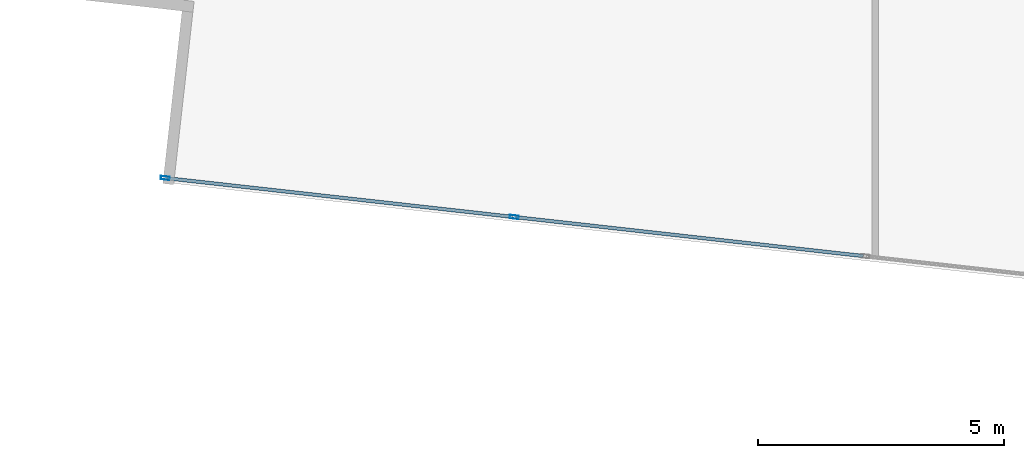
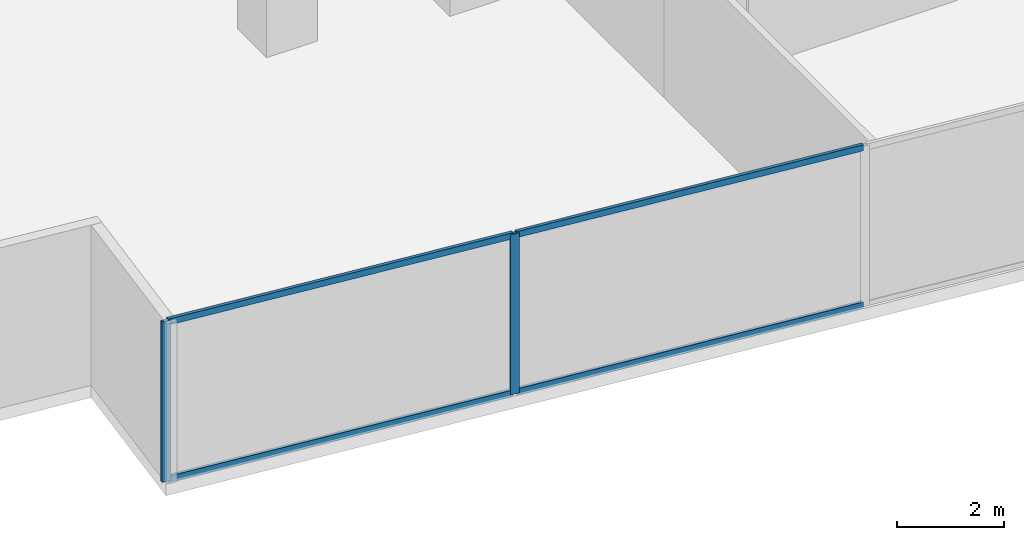
# One storey, part 2 of 28: 6 members, 1 element without a shape of its own.
"""IFC4 building model written with IfcOpenShell, lengths in metres."""

from ifc_helpers import new_model, si_unit, direction, frame, origin, origin_2d, place, context, subcontext, project, spatial, hollow_rectangle, extrude, source, transform, mapped, material, material_profile, profile_set, type_object, type_shapes, element, aggregate, save


model = new_model("IFC4")

# Units and contexts
model_context = context("Model", 3, precision=1e-05, world=origin(), true_north=direction((0.0, 1.0)))
body_context = subcontext(model_context, "Body", "Model", "MODEL_VIEW")
ifc_project = project(units=[si_unit("LENGTHUNIT", "METRE"), si_unit("AREAUNIT", "SQUARE_METRE"), si_unit("VOLUMEUNIT", "CUBIC_METRE"), si_unit("PLANEANGLEUNIT", "RADIAN"), si_unit("MASSUNIT", "GRAM", prefix="KILO")], contexts=[model_context])

# Site, building, storey
site_placement = place(None, origin())
site = spatial("IfcSite", under=ifc_project, at=site_placement, CompositionType="ELEMENT")
building_placement = place(site_placement, origin())
building = spatial("IfcBuilding", under=site, at=building_placement, Name="Krantzveldt Concourse Tower", CompositionType="ELEMENT")
storey_placement = place(building_placement, frame((0.0, 0.0, 64.5)))
storey = spatial("IfcBuildingStorey", under=building, at=storey_placement, Name="L15", CompositionType="ELEMENT", Elevation=64.5)

# Curtain wall, members
ifc_material = material(Name="Anodised aluminium 6063-T6", Category="aluminium")
curtain_wall_type = type_object("IfcCurtainWallType", Name="CW2", PredefinedType="USERDEFINED", material=ifc_material)
curtain_wall_placement = place(storey_placement, origin())
curtain_wall = element("IfcCurtainWall", 1, at=curtain_wall_placement, inside=storey, type_object=curtain_wall_type, Name="CW-L15-F04", ObjectType="UNITISED CURTAIN WALL", PredefinedType="USERDEFINED")
ifc_material_profile_1 = material_profile(ifc_material, hollow_rectangle(XDim=0.070068359375, YDim=0.179931640625, WallThickness=0.0048828125, at=origin_2d()), Name="Anodised aluminium 6063-T6", Category="aluminium")
ifc_profile_set_1 = profile_set([ifc_material_profile_1], Name="Anodised aluminium 6063-T6 - ALU-MULL 180x70x5")
member_type_1 = type_object("IfcMemberType", Name="CW-MUL-180", PredefinedType="MULLION", material=ifc_profile_set_1)
shared_shape_1 = source(origin(), body_context, "Body", "SweptSolid", [
    extrude(hollow_rectangle(XDim=0.070068359375, YDim=0.179931640625, WallThickness=0.0048828125, at=origin_2d()), origin(), (0.0, 0.0, 1.0), 3.669921875),
])
type_shapes(member_type_1, [shared_shape_1])
member_1_placement = place(storey_placement, frame((11.90185546875, 4.327392578125, 0.0), z_axis=(0.0, 0.0, 1.0), x_axis=(0.111035342863, 0.993816458223, 0.0)))
member_1 = element("IfcMember", 2, at=member_1_placement, type_object=member_type_1, Name="CW-Z12 mullion 1", PredefinedType="MULLION", context=body_context, shape_type="MappedRepresentation", body=[
    mapped(shared_shape_1, transform((0.0, 0.0, 0.0), x_axis=(1.0, 0.0, 0.0), y_axis=(0.0, 1.0, 0.0), z_axis=(0.0, 0.0, 1.0), scale=1.0)),
])
member_2_placement = place(storey_placement, frame((18.989501953125, 3.53564453125, 0.0), z_axis=(0.0, 0.0, 1.0), x_axis=(0.111035342863, 0.993816458223, 0.0)))
member_2 = element("IfcMember", 3, at=member_2_placement, type_object=member_type_1, Name="CW-Z12 mullion 2", PredefinedType="MULLION", context=body_context, shape_type="MappedRepresentation", body=[
    mapped(shared_shape_1, transform((0.0, 0.0, 0.0), x_axis=(1.0, 0.0, 0.0), y_axis=(0.0, 1.0, 0.0), z_axis=(0.0, 0.0, 1.0), scale=1.0)),
])
ifc_material_profile_2 = material_profile(ifc_material, hollow_rectangle(XDim=0.070068359375, YDim=0.139892578125, WallThickness=0.0048828125, at=origin_2d()), Name="Anodised aluminium 6063-T6", Category="aluminium")
ifc_profile_set_2 = profile_set([ifc_material_profile_2], Name="Anodised aluminium 6063-T6 - ALU-TRAN 140x70x5")
member_type_2 = type_object("IfcMemberType", Name="CW-TRN-150", PredefinedType="USERDEFINED", material=ifc_profile_set_2)
shared_shape_2 = source(origin(), body_context, "Body", "SweptSolid", [
    extrude(hollow_rectangle(XDim=0.070068359375, YDim=0.139892578125, WallThickness=0.0048828125, at=origin_2d()), origin(), (0.0, 0.0, 1.0), 7.0966796875),
])
member_3_placement = place(storey_placement, frame((19.024169921875, 3.53173828125, 0.034912109375), z_axis=(0.993814737088, -0.111050746722, 0.0), x_axis=(0.111050746722, 0.993814737088, 0.0)))
member_3 = element("IfcMember", 4, at=member_3_placement, type_object=member_type_2, Name="CW-Z12 transom 2.1", ObjectType="TRANSOM", PredefinedType="USERDEFINED", context=body_context, shape_type="MappedRepresentation", body=[
    mapped(shared_shape_2, transform((0.0, 0.0, 0.0), x_axis=(1.0, 0.0, 0.0), y_axis=(0.0, 1.0, 0.0), z_axis=(0.0, 0.0, 1.0), scale=1.0)),
])
member_4_placement = place(storey_placement, frame((19.024169921875, 3.53173828125, 3.635009765625), z_axis=(0.993814737088, -0.111050746722, 0.0), x_axis=(0.111050746722, 0.993814737088, 0.0)))
member_4 = element("IfcMember", 5, at=member_4_placement, type_object=member_type_2, Name="CW-Z12 transom 2.2", ObjectType="TRANSOM", PredefinedType="USERDEFINED", context=body_context, shape_type="MappedRepresentation", body=[
    mapped(shared_shape_2, transform((0.0, 0.0, 0.0), x_axis=(1.0, 0.0, 0.0), y_axis=(0.0, 1.0, 0.0), z_axis=(0.0, 0.0, 1.0), scale=1.0)),
])
shared_shape_3 = source(origin(), body_context, "Body", "SweptSolid", [
    extrude(hollow_rectangle(XDim=0.070068359375, YDim=0.139892578125, WallThickness=0.0048828125, at=origin_2d()), origin(), (0.0, 0.0, 1.0), 7.061767578125),
])
type_shapes(member_type_2, [shared_shape_2, shared_shape_3])
member_5_placement = place(storey_placement, frame((11.9365234375, 4.323486328125, 0.034912109375), z_axis=(0.993815243208, -0.111046217254, 0.0), x_axis=(0.111046217254, 0.993815243208, 0.0)))
member_5 = element("IfcMember", 6, at=member_5_placement, type_object=member_type_2, Name="CW-Z12 transom 1.1", ObjectType="TRANSOM", PredefinedType="USERDEFINED", context=body_context, shape_type="MappedRepresentation", body=[
    mapped(shared_shape_3, transform((0.0, 0.0, 0.0), x_axis=(1.0, 0.0, 0.0), y_axis=(0.0, 1.0, 0.0), z_axis=(0.0, 0.0, 1.0), scale=1.0)),
])
member_6_placement = place(storey_placement, frame((11.9365234375, 4.323486328125, 3.635009765625), z_axis=(0.993815243208, -0.111046217254, 0.0), x_axis=(0.111046217254, 0.993815243208, 0.0)))
member_6 = element("IfcMember", 7, at=member_6_placement, type_object=member_type_2, Name="CW-Z12 transom 1.2", ObjectType="TRANSOM", PredefinedType="USERDEFINED", context=body_context, shape_type="MappedRepresentation", body=[
    mapped(shared_shape_3, transform((0.0, 0.0, 0.0), x_axis=(1.0, 0.0, 0.0), y_axis=(0.0, 1.0, 0.0), z_axis=(0.0, 0.0, 1.0), scale=1.0)),
])
aggregate(curtain_wall, [member_1, member_2, member_5, member_6, member_3, member_4])

save(model, "model.ifc")
